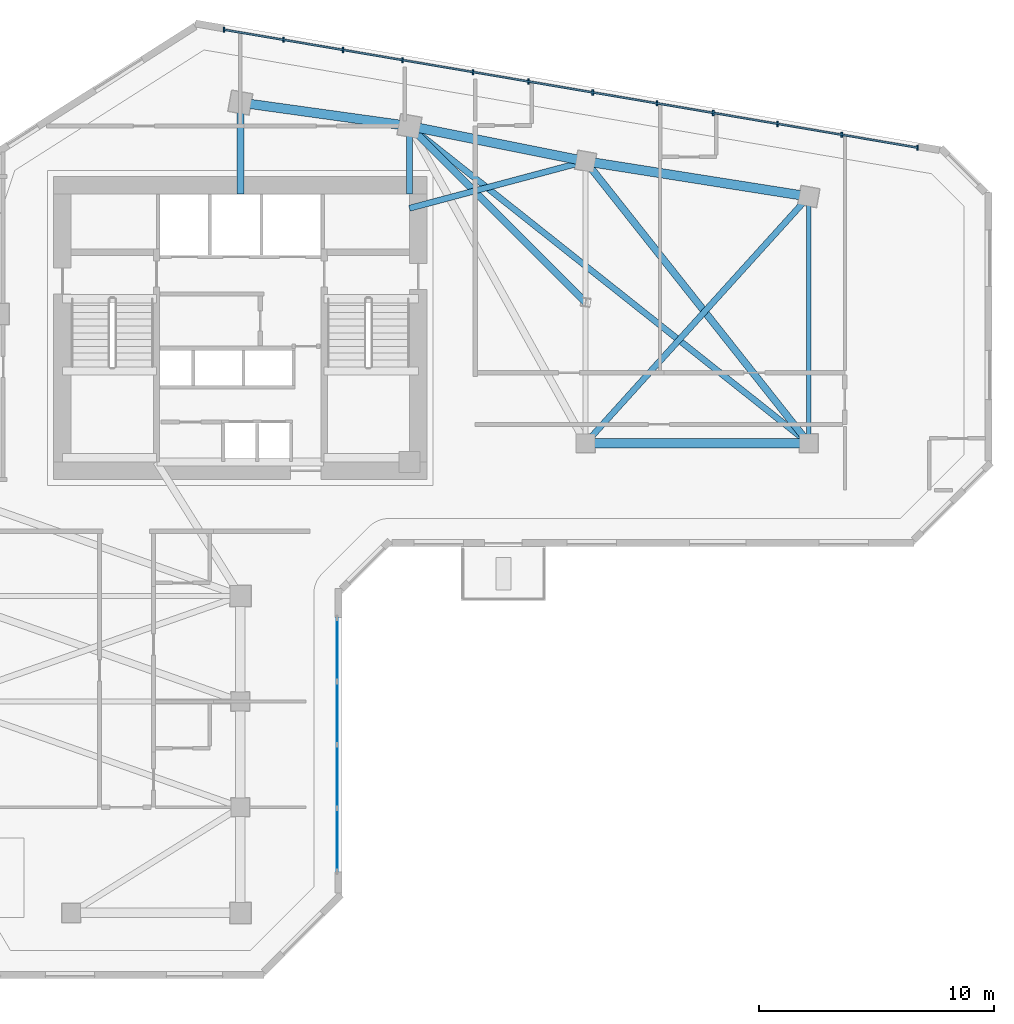
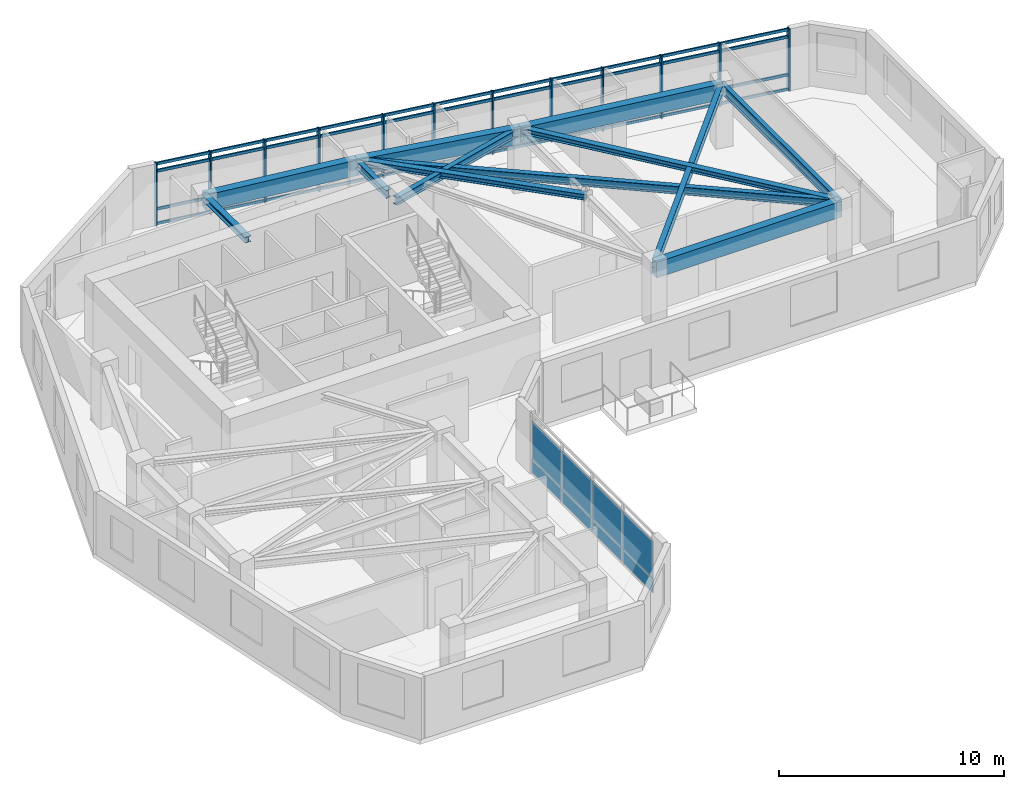
# One storey, part 3 of 11: 16 members, 12 beams, 8 plates, 2 elements without a shape of their own.
"""IFC4 building model written with IfcOpenShell, lengths in metres."""

from ifc_helpers import new_model, si_unit, direction, frame, frame_2d, origin, origin_2d, place, context, subcontext, project, spatial, rectangle, i_section, extrude, source, transform, mapped, material, layer, layer_set, material_profile, profile_set, type_object, element, aggregate, save


model = new_model("IFC4")

# Units and contexts
model_context = context("Model", 3, precision=1e-05, world=origin(), true_north=direction((0.0, 1.0)))
body_context = subcontext(model_context, "Body", "Model", "MODEL_VIEW")
ifc_project = project(units=[si_unit("LENGTHUNIT", "METRE"), si_unit("AREAUNIT", "SQUARE_METRE"), si_unit("VOLUMEUNIT", "CUBIC_METRE"), si_unit("PLANEANGLEUNIT", "RADIAN"), si_unit("MASSUNIT", "GRAM", prefix="KILO")], contexts=[model_context])

# Site, building, storey
site_placement = place(None, origin())
site = spatial("IfcSite", under=ifc_project, at=site_placement, CompositionType="ELEMENT")
building_placement = place(site_placement, origin())
building = spatial("IfcBuilding", under=site, at=building_placement, Name="Calvemar Wedge Station Tower", CompositionType="ELEMENT")
storey_placement = place(building_placement, frame((0.0, 0.0, 143.0)))
storey = spatial("IfcBuildingStorey", under=building, at=storey_placement, Name="L35", CompositionType="ELEMENT", Elevation=143.0)

# Beams
ifc_material_1 = material(Name="Concrete C60", Category="concrete")
ifc_material_profile_1 = material_profile(ifc_material_1, rectangle(XDim=0.39990234375, YDim=0.85009765625, at=origin_2d()), Name="RC400x850")
ifc_profile_set_1 = profile_set([ifc_material_profile_1], Name="Concrete C60")
beam_type_1 = type_object("IfcBeamType", Name="BM-SP1-850", PredefinedType="SPANDREL", material=ifc_profile_set_1)
shared_shape_1 = source(origin(), body_context, "Body", "SweptSolid", [
    extrude(rectangle(XDim=0.39990234375, YDim=0.85009765625, at=origin_2d()), origin(), (0.0, 0.0, 1.0), 7.26904296875),
])
beam_1_placement = place(storey_placement, frame((23.800048828125, 49.5, 2.925048828125), z_axis=(0.990492146053, -0.13756928657, 0.0), x_axis=(0.13756928657, 0.990492146053, 0.0)))
element("IfcBeam", 1, at=beam_1_placement, inside=storey, type_object=beam_type_1, Name="Storey L35 Spandrel T-N1-T-N2", PredefinedType="SPANDREL", context=body_context, shape_type="MappedRepresentation", body=[
    mapped(shared_shape_1, transform((0.0, 0.0, 0.0), scale=1.0)),
])
shared_shape_2 = source(origin(), body_context, "Body", "SweptSolid", [
    extrude(rectangle(XDim=0.39990234375, YDim=0.85009765625, at=origin_2d()), origin(), (0.0, 0.0, 1.0), 7.6484375),
])
beam_2_placement = place(storey_placement, frame((31.0, 48.5, 2.925048828125), z_axis=(0.980580675691, -0.196116135138, 0.0), x_axis=(0.196116135138, 0.980580675691, 0.0)))
element("IfcBeam", 2, at=beam_2_placement, inside=storey, type_object=beam_type_1, Name="Storey L35 Spandrel T-N2-T-NU3", PredefinedType="SPANDREL", context=body_context, shape_type="MappedRepresentation", body=[
    mapped(shared_shape_2, transform((0.0, 0.0, 0.0), scale=1.0)),
])
shared_shape_3 = source(origin(), body_context, "Body", "SweptSolid", [
    extrude(rectangle(XDim=0.39990234375, YDim=0.85009765625, at=origin_2d()), origin(), (0.0, 0.0, 1.0), 9.61767578125),
])
beam_3_placement = place(storey_placement, frame((38.5, 47.0, 2.925048828125), z_axis=(0.987762965329, -0.155962573473, 0.0), x_axis=(0.155962573473, 0.987762965329, 0.0)))
element("IfcBeam", 3, at=beam_3_placement, inside=storey, type_object=beam_type_1, Name="Storey L35 Spandrel T-NU3-T-NU4", PredefinedType="SPANDREL", context=body_context, shape_type="MappedRepresentation", body=[
    mapped(shared_shape_3, transform((0.0, 0.0, 0.0), scale=1.0)),
])
shared_shape_4 = source(origin(), body_context, "Body", "SweptSolid", [
    extrude(rectangle(XDim=0.39990234375, YDim=0.85009765625, at=origin_2d()), origin(), (0.0, 0.0, 1.0), 9.5),
])
beam_4_placement = place(storey_placement, frame((38.5, 35.0, 2.925048828125), z_axis=(1.0, 0.0, 0.0), x_axis=(0.0, 1.0, 0.0)))
element("IfcBeam", 4, at=beam_4_placement, inside=storey, type_object=beam_type_1, Name="Storey L35 Spandrel T-NL2-T-NL3", PredefinedType="SPANDREL", context=body_context, shape_type="MappedRepresentation", body=[
    mapped(shared_shape_4, transform((0.0, 0.0, 0.0), scale=1.0)),
])
ifc_material_2 = material(Name="Structural steel ASTM A572 Grade 50", Category="steel")
ifc_material_profile_2 = material_profile(ifc_material_2, i_section(OverallWidth=0.260986328125, OverallDepth=0.419921875, WebThickness=0.01171875, FlangeThickness=0.019287109375, FilletRadius=0.012939453125, at=origin_2d()), Name="W410x114")
ifc_profile_set_2 = profile_set([ifc_material_profile_2], Name="Structural steel ASTM A572 Grade 50")
beam_type_2 = type_object("IfcBeamType", Name="BM-J2-W410H", PredefinedType="JOIST", material=ifc_profile_set_2)
shared_shape_5 = source(origin(), body_context, "Body", "SweptSolid", [
    extrude(i_section(OverallWidth=0.260986328125, OverallDepth=0.419921875, WebThickness=0.01171875, FlangeThickness=0.019287109375, FilletRadius=0.012939453125, at=origin_2d()), origin(), (0.0, 0.0, 1.0), 21.708251953125),
])
beam_5_placement = place(storey_placement, frame((31.0, 48.5, 3.139892578125), z_axis=(0.783110847498, -0.621882143602, 0.0), x_axis=(0.621882143602, 0.783110847498, 0.0)))
element("IfcBeam", 5, at=beam_5_placement, inside=storey, type_object=beam_type_2, Name="Storey L35 Floor Beam T-N2-T-NL3", PredefinedType="JOIST", context=body_context, shape_type="MappedRepresentation", body=[
    mapped(shared_shape_5, transform((0.0, 0.0, 0.0), scale=1.0)),
])
ifc_material_profile_3 = material_profile(ifc_material_2, i_section(OverallWidth=0.304931640625, OverallDepth=0.30810546875, WebThickness=0.010009765625, FlangeThickness=0.015380859375, FilletRadius=0.014892578125, at=origin_2d()), Name="W310x97")
ifc_profile_set_3 = profile_set([ifc_material_profile_3], Name="Structural steel ASTM A572 Grade 50")
beam_type_3 = type_object("IfcBeamType", Name="BM-J6-W310", PredefinedType="JOIST", material=ifc_profile_set_3)
shared_shape_6 = source(origin(), body_context, "Body", "SweptSolid", [
    extrude(i_section(OverallWidth=0.304931640625, OverallDepth=0.30810546875, WebThickness=0.010009765625, FlangeThickness=0.015380859375, FilletRadius=0.014892578125, at=origin_2d()), origin(), (0.0, 0.0, 1.0), 15.30517578125),
])
beam_6_placement = place(storey_placement, frame((38.5, 47.0, 3.196044921875), z_axis=(0.620702944366, -0.784045824462, 0.0), x_axis=(0.784045824462, 0.620702944366, 0.0)))
element("IfcBeam", 6, at=beam_6_placement, inside=storey, type_object=beam_type_3, Name="Storey L35 Floor Beam T-NU3-T-NL3", PredefinedType="JOIST", context=body_context, shape_type="MappedRepresentation", body=[
    mapped(shared_shape_6, transform((0.0, 0.0, 0.0), scale=1.0)),
])
shared_shape_7 = source(origin(), body_context, "Body", "SweptSolid", [
    extrude(i_section(OverallWidth=0.260986328125, OverallDepth=0.419921875, WebThickness=0.01171875, FlangeThickness=0.019287109375, FilletRadius=0.012939453125, at=origin_2d()), origin(), (0.0, 0.0, 1.0), 14.159912109375),
])
beam_7_placement = place(storey_placement, frame((38.5, 35.0, 3.139892578125), z_axis=(0.670913323969, 0.741535779124, 0.0), x_axis=(-0.741535779124, 0.670913323969, 0.0)))
element("IfcBeam", 7, at=beam_7_placement, inside=storey, type_object=beam_type_2, Name="Storey L35 Floor Beam T-NL2-T-NU4", PredefinedType="JOIST", context=body_context, shape_type="MappedRepresentation", body=[
    mapped(shared_shape_7, transform((0.0, 0.0, 0.0), scale=1.0)),
])
shared_shape_8 = source(origin(), body_context, "Body", "SweptSolid", [
    extrude(i_section(OverallWidth=0.260986328125, OverallDepth=0.419921875, WebThickness=0.01171875, FlangeThickness=0.019287109375, FilletRadius=0.012939453125, at=origin_2d()), origin(), (0.0, 0.0, 1.0), 7.76220703125),
])
beam_8_placement = place(storey_placement, frame((31.0, 45.0, 3.139892578125), z_axis=(0.966234939601, 0.25766265056, 0.0), x_axis=(-0.25766265056, 0.966234939601, 0.0)))
element("IfcBeam", 8, at=beam_8_placement, inside=storey, type_object=beam_type_2, Name="Storey L35 Core-to-Column Joist CJ-E2", PredefinedType="JOIST", context=body_context, shape_type="MappedRepresentation", body=[
    mapped(shared_shape_8, transform((0.0, 0.0, 0.0), scale=1.0)),
])
shared_shape_9 = source(origin(), body_context, "Body", "SweptSolid", [
    extrude(i_section(OverallWidth=0.304931640625, OverallDepth=0.30810546875, WebThickness=0.010009765625, FlangeThickness=0.015380859375, FilletRadius=0.014892578125, at=origin_2d()), origin(), (0.0, 0.0, 1.0), 3.89990234375),
])
beam_9_placement = place(storey_placement, frame((23.800048828125, 45.60009765625, 3.196044921875), z_axis=(0.0, 1.0, 0.0), x_axis=(-1.0, 0.0, 0.0)))
element("IfcBeam", 9, at=beam_9_placement, inside=storey, type_object=beam_type_3, Name="Storey L35 Core-to-Column Joist CJ-N1", PredefinedType="JOIST", context=body_context, shape_type="MappedRepresentation", body=[
    mapped(shared_shape_9, transform((0.0, 0.0, 0.0), scale=1.0)),
])
shared_shape_10 = source(origin(), body_context, "Body", "SweptSolid", [
    extrude(i_section(OverallWidth=0.260986328125, OverallDepth=0.419921875, WebThickness=0.01171875, FlangeThickness=0.019287109375, FilletRadius=0.012939453125, at=origin_2d()), origin(), (0.0, 0.0, 1.0), 2.89990234375),
])
beam_10_placement = place(storey_placement, frame((31.0, 45.60009765625, 3.139892578125), z_axis=(0.0, 1.0, 0.0), x_axis=(-1.0, 0.0, 0.0)))
element("IfcBeam", 10, at=beam_10_placement, inside=storey, type_object=beam_type_2, Name="Storey L35 Core-to-Column Joist CJ-N2", PredefinedType="JOIST", context=body_context, shape_type="MappedRepresentation", body=[
    mapped(shared_shape_10, transform((0.0, 0.0, 0.0), scale=1.0)),
])
ifc_material_profile_4 = material_profile(ifc_material_2, i_section(OverallWidth=0.2109375, OverallDepth=0.5390625, WebThickness=0.01171875, FlangeThickness=0.018798828125, FilletRadius=0.012939453125, at=origin_2d()), Name="W530x109")
ifc_profile_set_4 = profile_set([ifc_material_profile_4], Name="Structural steel ASTM A572 Grade 50")
beam_type_4 = type_object("IfcBeamType", Name="BM-SB4-W530", PredefinedType="BEAM", material=ifc_profile_set_4)
shared_shape_11 = source(origin(), body_context, "Body", "SweptSolid", [
    extrude(i_section(OverallWidth=0.2109375, OverallDepth=0.5390625, WebThickness=0.01171875, FlangeThickness=0.018798828125, FilletRadius=0.012939453125, at=origin_2d()), origin(), (0.0, 0.0, 1.0), 10.5),
])
beam_11_placement = place(storey_placement, frame((48.0, 45.5, 3.08056640625), z_axis=(0.0, -1.0, 0.0), x_axis=(1.0, 0.0, 0.0)))
element("IfcBeam", 11, at=beam_11_placement, inside=storey, type_object=beam_type_4, Name="Storey L35 Floor Beam T-NU4-T-NL3", PredefinedType="BEAM", context=body_context, shape_type="MappedRepresentation", body=[
    mapped(shared_shape_11, transform((0.0, 0.0, 0.0), scale=1.0)),
])
shared_shape_12 = source(origin(), body_context, "Body", "SweptSolid", [
    extrude(i_section(OverallWidth=0.304931640625, OverallDepth=0.30810546875, WebThickness=0.010009765625, FlangeThickness=0.015380859375, FilletRadius=0.014892578125, at=origin_2d()), origin(), (0.0, 0.0, 1.0), 10.606689453125),
])
beam_12_placement = place(storey_placement, frame((38.5, 41.0, 3.196044921875), z_axis=(-0.707106781187, 0.707106781187, 0.0), x_axis=(-0.707106781187, -0.707106781187, 0.0)))
element("IfcBeam", 12, at=beam_12_placement, inside=storey, type_object=beam_type_3, Name="Storey L35 Floor Beam T-NTIP-B-T-N2", PredefinedType="JOIST", context=body_context, shape_type="MappedRepresentation", body=[
    mapped(shared_shape_12, transform((0.0, 0.0, 0.0), scale=1.0)),
])

# Curtain wall, members
ifc_material_3 = material(Name="Anodised aluminium 6063-T6", Category="aluminium")
curtain_wall_type = type_object("IfcCurtainWallType", Name="CW2", PredefinedType="NOTDEFINED", material=ifc_material_3)
curtain_wall_1_placement = place(storey_placement, origin())
curtain_wall_1 = element("IfcCurtainWall", 13, at=curtain_wall_1_placement, inside=storey, type_object=curtain_wall_type, Name="Storey L35 CW2 Recessed Unitised Curtain Wall 10", PredefinedType="NOTDEFINED")
ifc_material_profile_5 = material_profile(ifc_material_3, rectangle(XDim=0.074951171875, YDim=0.14990234375, at=origin_2d()), Name="AL-TRN-75x150")
ifc_profile_set_5 = profile_set([ifc_material_profile_5], Name="Anodised aluminium 6063-T6")
member_type_1 = type_object("IfcMemberType", Name="CW2-TRN", PredefinedType="USERDEFINED", material=ifc_profile_set_5)
shared_shape_13 = source(origin(), body_context, "Body", "SweptSolid", [
    extrude(rectangle(XDim=0.074951171875, YDim=0.14990234375, at=origin_2d()), origin(), (0.0, 0.0, 1.0), 29.950927734375),
])
member_1_placement = place(storey_placement, frame((52.63330078125, 47.577392578125, 0.06005859375), z_axis=(-0.985845487877, 0.167656416615, 0.0), x_axis=(-0.167656416615, -0.985845487877, 0.0)))
member_1 = element("IfcMember", 14, at=member_1_placement, type_object=member_type_1, Name="CW2 transom 1", ObjectType="TRANSOM", PredefinedType="USERDEFINED", context=body_context, shape_type="MappedRepresentation", body=[
    mapped(shared_shape_13, transform((0.0, 0.0, 0.0), scale=1.0)),
])
member_2_placement = place(storey_placement, frame((52.63330078125, 47.577392578125, 0.85009765625), z_axis=(-0.985845487877, 0.167656416615, 0.0), x_axis=(-0.167656416615, -0.985845487877, 0.0)))
member_2 = element("IfcMember", 15, at=member_2_placement, type_object=member_type_1, Name="CW2 transom 2", ObjectType="TRANSOM", PredefinedType="USERDEFINED", context=body_context, shape_type="MappedRepresentation", body=[
    mapped(shared_shape_13, transform((0.0, 0.0, 0.0), scale=1.0)),
])
member_3_placement = place(storey_placement, frame((52.63330078125, 47.577392578125, 2.89990234375), z_axis=(-0.985845487877, 0.167656416615, 0.0), x_axis=(-0.167656416615, -0.985845487877, 0.0)))
member_3 = element("IfcMember", 16, at=member_3_placement, type_object=member_type_1, Name="CW2 transom 3", ObjectType="TRANSOM", PredefinedType="USERDEFINED", context=body_context, shape_type="MappedRepresentation", body=[
    mapped(shared_shape_13, transform((0.0, 0.0, 0.0), scale=1.0)),
])
member_4_placement = place(storey_placement, frame((52.63330078125, 47.577392578125, 3.2900390625), z_axis=(-0.985845487877, 0.167656416615, 0.0), x_axis=(-0.167656416615, -0.985845487877, 0.0)))
member_4 = element("IfcMember", 17, at=member_4_placement, type_object=member_type_1, Name="CW2 transom 4", ObjectType="TRANSOM", PredefinedType="USERDEFINED", context=body_context, shape_type="MappedRepresentation", body=[
    mapped(shared_shape_13, transform((0.0, 0.0, 0.0), scale=1.0)),
])
ifc_material_profile_6 = material_profile(ifc_material_3, rectangle(XDim=0.074951171875, YDim=0.219970703125, at=origin_2d()), Name="AL-MUL-75x220")
ifc_profile_set_6 = profile_set([ifc_material_profile_6], Name="Anodised aluminium 6063-T6")
member_type_2 = type_object("IfcMemberType", Name="CW2-MUL", PredefinedType="MULLION", material=ifc_profile_set_6)
shared_shape_14 = source(origin(), body_context, "Body", "SweptSolid", [
    extrude(rectangle(XDim=0.074951171875, YDim=0.219970703125, at=origin_2d()), origin(), (0.0, 0.0, 1.0), 3.400146484375),
])
member_5_placement = place(storey_placement, frame((52.63330078125, 47.577392578125, -0.050048828125), z_axis=(0.0, 0.0, 1.0), x_axis=(1.0, 0.0, 0.0)))
member_5 = element("IfcMember", 18, at=member_5_placement, type_object=member_type_2, Name="CW2 mullion 1", PredefinedType="MULLION", context=body_context, shape_type="MappedRepresentation", body=[
    mapped(shared_shape_14, transform((0.0, 0.0, 0.0), scale=1.0)),
])
member_6_placement = place(storey_placement, frame((49.40625, 48.126220703125, -0.050048828125), z_axis=(0.0, 0.0, 1.0), x_axis=(1.0, 0.0, 0.0)))
member_6 = element("IfcMember", 19, at=member_6_placement, type_object=member_type_2, Name="CW2 mullion 2", PredefinedType="MULLION", context=body_context, shape_type="MappedRepresentation", body=[
    mapped(shared_shape_14, transform((0.0, 0.0, 0.0), scale=1.0)),
])
member_7_placement = place(storey_placement, frame((46.67236328125, 48.591064453125, -0.050048828125), z_axis=(0.0, 0.0, 1.0), x_axis=(1.0, 0.0, 0.0)))
member_7 = element("IfcMember", 20, at=member_7_placement, type_object=member_type_2, Name="CW2 mullion 3", PredefinedType="MULLION", context=body_context, shape_type="MappedRepresentation", body=[
    mapped(shared_shape_14, transform((0.0, 0.0, 0.0), scale=1.0)),
])
member_8_placement = place(storey_placement, frame((43.938232421875, 49.05615234375, -0.050048828125), z_axis=(0.0, 0.0, 1.0), x_axis=(1.0, 0.0, 0.0)))
member_8 = element("IfcMember", 21, at=member_8_placement, type_object=member_type_2, Name="CW2 mullion 4", PredefinedType="MULLION", context=body_context, shape_type="MappedRepresentation", body=[
    mapped(shared_shape_14, transform((0.0, 0.0, 0.0), scale=1.0)),
])
member_9_placement = place(storey_placement, frame((41.5380859375, 49.46435546875, -0.050048828125), z_axis=(0.0, 0.0, 1.0), x_axis=(1.0, 0.0, 0.0)))
member_9 = element("IfcMember", 22, at=member_9_placement, type_object=member_type_2, Name="CW2 mullion 5", PredefinedType="MULLION", context=body_context, shape_type="MappedRepresentation", body=[
    mapped(shared_shape_14, transform((0.0, 0.0, 0.0), scale=1.0)),
])
member_10_placement = place(storey_placement, frame((38.8046875, 49.92919921875, -0.050048828125), z_axis=(0.0, 0.0, 1.0), x_axis=(1.0, 0.0, 0.0)))
member_10 = element("IfcMember", 23, at=member_10_placement, type_object=member_type_2, Name="CW2 mullion 6", PredefinedType="MULLION", context=body_context, shape_type="MappedRepresentation", body=[
    mapped(shared_shape_14, transform((0.0, 0.0, 0.0), scale=1.0)),
])
member_11_placement = place(storey_placement, frame((36.0712890625, 50.39404296875, -0.050048828125), z_axis=(0.0, 0.0, 1.0), x_axis=(1.0, 0.0, 0.0)))
member_11 = element("IfcMember", 24, at=member_11_placement, type_object=member_type_2, Name="CW2 mullion 7", PredefinedType="MULLION", context=body_context, shape_type="MappedRepresentation", body=[
    mapped(shared_shape_14, transform((0.0, 0.0, 0.0), scale=1.0)),
])
member_12_placement = place(storey_placement, frame((33.7080078125, 50.7958984375, -0.050048828125), z_axis=(0.0, 0.0, 1.0), x_axis=(1.0, 0.0, 0.0)))
member_12 = element("IfcMember", 25, at=member_12_placement, type_object=member_type_2, Name="CW2 mullion 8", PredefinedType="MULLION", context=body_context, shape_type="MappedRepresentation", body=[
    mapped(shared_shape_14, transform((0.0, 0.0, 0.0), scale=1.0)),
])
member_13_placement = place(storey_placement, frame((30.7080078125, 51.30615234375, -0.050048828125), z_axis=(0.0, 0.0, 1.0), x_axis=(1.0, 0.0, 0.0)))
member_13 = element("IfcMember", 26, at=member_13_placement, type_object=member_type_2, Name="CW2 mullion 9", PredefinedType="MULLION", context=body_context, shape_type="MappedRepresentation", body=[
    mapped(shared_shape_14, transform((0.0, 0.0, 0.0), scale=1.0)),
])
member_14_placement = place(storey_placement, frame((28.17431640625, 51.737060546875, -0.050048828125), z_axis=(0.0, 0.0, 1.0), x_axis=(1.0, 0.0, 0.0)))
member_14 = element("IfcMember", 27, at=member_14_placement, type_object=member_type_2, Name="CW2 mullion 10", PredefinedType="MULLION", context=body_context, shape_type="MappedRepresentation", body=[
    mapped(shared_shape_14, transform((0.0, 0.0, 0.0), scale=1.0)),
])
member_15_placement = place(storey_placement, frame((25.64013671875, 52.16796875, -0.050048828125), z_axis=(0.0, 0.0, 1.0), x_axis=(1.0, 0.0, 0.0)))
member_15 = element("IfcMember", 28, at=member_15_placement, type_object=member_type_2, Name="CW2 mullion 11", PredefinedType="MULLION", context=body_context, shape_type="MappedRepresentation", body=[
    mapped(shared_shape_14, transform((0.0, 0.0, 0.0), scale=1.0)),
])
member_16_placement = place(storey_placement, frame((23.106201171875, 52.598876953125, -0.050048828125), z_axis=(0.0, 0.0, 1.0), x_axis=(1.0, 0.0, 0.0)))
member_16 = element("IfcMember", 29, at=member_16_placement, type_object=member_type_2, Name="CW2 mullion 12", PredefinedType="MULLION", context=body_context, shape_type="MappedRepresentation", body=[
    mapped(shared_shape_14, transform((0.0, 0.0, 0.0), scale=1.0)),
])
aggregate(curtain_wall_1, [member_5, member_6, member_7, member_8, member_9, member_10, member_11, member_12, member_13, member_14, member_15, member_16, member_1, member_2, member_3, member_4])

# Curtain wall, plates
curtain_wall_2_placement = place(storey_placement, origin())
curtain_wall_2 = element("IfcCurtainWall", 30, at=curtain_wall_2_placement, inside=storey, type_object=curtain_wall_type, Name="Storey L35 CW2 Recessed Unitised Curtain Wall 4", PredefinedType="NOTDEFINED")
ifc_material_4 = material(Name="Low-E laminated insulated glass", Category="glass")
ifc_layer_1 = layer(ifc_material_4, 0.028076171875)
ifc_layer_set_1 = layer_set([ifc_layer_1], Name="Low-E laminated insulated glass")
plate_type_1 = type_object("IfcPlateType", Name="CW2-GLZ", PredefinedType="CURTAIN_PANEL", material=ifc_layer_set_1)
plate_1_placement = place(storey_placement, frame((27.91796875, 16.780029296875, 0.8701171875), z_axis=(0.0, 0.0, 1.0), x_axis=(0.0, 1.0, 0.0)))
plate_1 = element("IfcPlate", 31, at=plate_1_placement, type_object=plate_type_1, Name="CW2 vision glass panel 1", PredefinedType="CURTAIN_PANEL", context=body_context, shape_type="SweptSolid", body=[
    extrude(rectangle(XDim=2.662109375, YDim=0.028076171875, at=frame_2d((1.3310546875, 0.0))), origin(), (0.0, 0.0, 1.0), 2.009765625),
])
plate_2_placement = place(storey_placement, frame((27.91796875, 19.47802734375, 0.8701171875), z_axis=(0.0, 0.0, 1.0), x_axis=(0.0, 1.0, 0.0)))
plate_2 = element("IfcPlate", 32, at=plate_2_placement, type_object=plate_type_1, Name="CW2 vision glass panel 2", PredefinedType="CURTAIN_PANEL", context=body_context, shape_type="SweptSolid", body=[
    extrude(rectangle(XDim=2.662109375, YDim=0.028076171875, at=frame_2d((1.3310546875, 0.0))), origin(), (0.0, 0.0, 1.0), 2.009765625),
])
plate_3_placement = place(storey_placement, frame((27.91796875, 22.176025390625, 0.8701171875), z_axis=(0.0, 0.0, 1.0), x_axis=(0.0, 1.0, 0.0)))
plate_3 = element("IfcPlate", 33, at=plate_3_placement, type_object=plate_type_1, Name="CW2 vision glass panel 3", PredefinedType="CURTAIN_PANEL", context=body_context, shape_type="SweptSolid", body=[
    extrude(rectangle(XDim=2.662109375, YDim=0.028076171875, at=frame_2d((1.3310546875, 0.0))), origin(), (0.0, 0.0, 1.0), 2.009765625),
])
plate_4_placement = place(storey_placement, frame((27.91796875, 24.8740234375, 0.8701171875), z_axis=(0.0, 0.0, 1.0), x_axis=(0.0, 1.0, 0.0)))
plate_4 = element("IfcPlate", 34, at=plate_4_placement, type_object=plate_type_1, Name="CW2 vision glass panel 4", PredefinedType="CURTAIN_PANEL", context=body_context, shape_type="SweptSolid", body=[
    extrude(rectangle(XDim=2.662109375, YDim=0.028076171875, at=frame_2d((1.3310546875, 0.0))), origin(), (0.0, 0.0, 1.0), 2.009765625),
])
ifc_material_5 = material(Name="Oxidized bronze aluminium spandrel panel 5005-H24", Category="aluminium")
ifc_layer_2 = layer(ifc_material_5, 0.0400390625)
ifc_layer_set_2 = layer_set([ifc_layer_2], Name="Oxidized bronze aluminium spandrel panel 5005-H24")
plate_type_2 = type_object("IfcPlateType", Name="CW2-SPD", PredefinedType="SHEET", material=ifc_layer_set_2)
plate_5_placement = place(storey_placement, frame((27.91796875, 16.780029296875, 0.080078125), z_axis=(0.0, 0.0, 1.0), x_axis=(0.0, 1.0, 0.0)))
plate_5 = element("IfcPlate", 35, at=plate_5_placement, type_object=plate_type_2, Name="CW2 bronze spandrel panel 1", PredefinedType="SHEET", context=body_context, shape_type="SweptSolid", body=[
    extrude(rectangle(XDim=2.662109375, YDim=0.0400390625, at=frame_2d((1.3310546875, 0.0))), origin(), (0.0, 0.0, 1.0), 0.75),
])
plate_6_placement = place(storey_placement, frame((27.91796875, 19.47802734375, 0.080078125), z_axis=(0.0, 0.0, 1.0), x_axis=(0.0, 1.0, 0.0)))
plate_6 = element("IfcPlate", 36, at=plate_6_placement, type_object=plate_type_2, Name="CW2 bronze spandrel panel 2", PredefinedType="SHEET", context=body_context, shape_type="SweptSolid", body=[
    extrude(rectangle(XDim=2.662109375, YDim=0.0400390625, at=frame_2d((1.3310546875, 0.0))), origin(), (0.0, 0.0, 1.0), 0.75),
])
plate_7_placement = place(storey_placement, frame((27.91796875, 22.176025390625, 0.080078125), z_axis=(0.0, 0.0, 1.0), x_axis=(0.0, 1.0, 0.0)))
plate_7 = element("IfcPlate", 37, at=plate_7_placement, type_object=plate_type_2, Name="CW2 bronze spandrel panel 3", PredefinedType="SHEET", context=body_context, shape_type="SweptSolid", body=[
    extrude(rectangle(XDim=2.662109375, YDim=0.0400390625, at=frame_2d((1.3310546875, 0.0))), origin(), (0.0, 0.0, 1.0), 0.75),
])
plate_8_placement = place(storey_placement, frame((27.91796875, 24.8740234375, 0.080078125), z_axis=(0.0, 0.0, 1.0), x_axis=(0.0, 1.0, 0.0)))
plate_8 = element("IfcPlate", 38, at=plate_8_placement, type_object=plate_type_2, Name="CW2 bronze spandrel panel 4", PredefinedType="SHEET", context=body_context, shape_type="SweptSolid", body=[
    extrude(rectangle(XDim=2.662109375, YDim=0.0400390625, at=frame_2d((1.3310546875, 0.0))), origin(), (0.0, 0.0, 1.0), 0.75),
])
aggregate(curtain_wall_2, [plate_5, plate_1, plate_6, plate_2, plate_7, plate_3, plate_8, plate_4])

save(model, "model.ifc")
